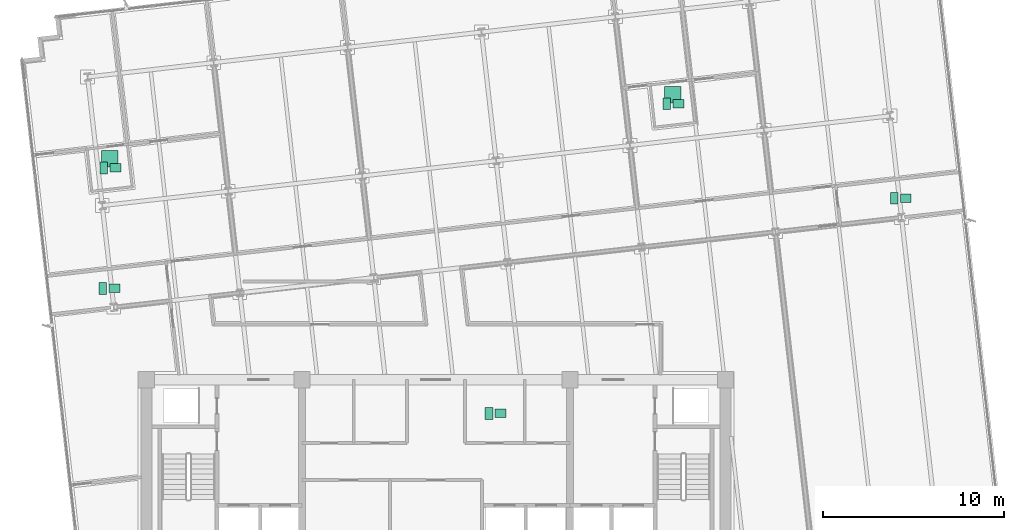
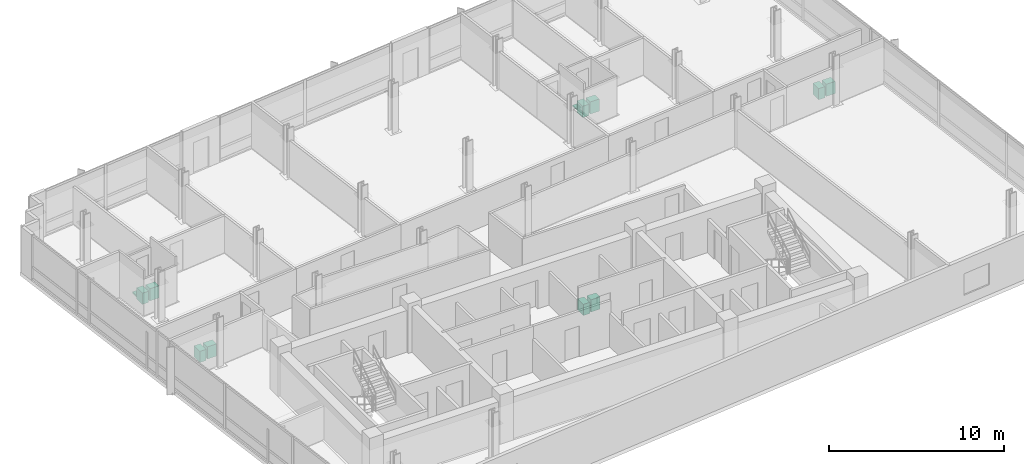
# One storey, part 15 of 15: 12 sanitary terminals.
"""IFC4 building model written with IfcOpenShell, lengths in metres."""

from ifc_helpers import new_model, si_unit, direction, frame, origin, origin_2d, place, context, subcontext, project, spatial, rectangle, extrude, material, type_object, element, save


model = new_model("IFC4")

# Units and contexts
model_context = context("Model", 3, precision=1e-05, world=origin(), true_north=direction((0.0, 1.0)))
body_context = subcontext(model_context, "Body", "Model", "MODEL_VIEW")
ifc_project = project(units=[si_unit("LENGTHUNIT", "METRE"), si_unit("AREAUNIT", "SQUARE_METRE"), si_unit("VOLUMEUNIT", "CUBIC_METRE"), si_unit("PLANEANGLEUNIT", "RADIAN"), si_unit("MASSUNIT", "GRAM", prefix="KILO")], contexts=[model_context])

# Site, building, storey
site_placement = place(None, origin())
site = spatial("IfcSite", under=ifc_project, at=site_placement, CompositionType="ELEMENT")
building_placement = place(site_placement, origin())
building = spatial("IfcBuilding", under=site, at=building_placement, Name="Solmavex Isthmus Hotel", CompositionType="ELEMENT")
storey_placement = place(building_placement, frame((0.0, 0.0, 229.64990234375)))
storey = spatial("IfcBuildingStorey", under=building, at=storey_placement, Name="L62", CompositionType="ELEMENT", Elevation=229.64990234375)

# Sanitary terminals
ifc_material = material(Name="Vitreous china ceramic", Category="ceramic")
sanitary_terminal_type_1 = type_object("IfcSanitaryTerminalType", Name="SAN-BASIN", PredefinedType="WASHHANDBASIN", material=ifc_material)
for number, where, z_axis, x_axis, name in (
    (1, (3.570068359375, -4.360107421875, 0.0), (0.0, 0.0, 1.0), (1.0, 0.0, 0.0), "Vanity Washbasin L62-311"),
    (2, (-17.710693359375, 9.203369140625, 0.0), (0.0, 0.0, 1.0), (1.0, 0.0, 0.0), "Vanity Washbasin L62-312"),
    (3, (13.39306640625, 12.747314453125, 0.0), (0.0, 0.0, 1.0), (1.0, 0.0, 0.0), "Vanity Washbasin L62-313"),
    (4, (-17.761474609375, 2.546875, 0.0), (0.0, 0.0, 1.0), (1.0, 0.0, 0.0), "Vanity Washbasin L62-314"),
    (5, (25.956787109375, 7.52783203125, 0.0), (0.0, 0.0, 1.0), (1.0, 0.0, 0.0), "Vanity Washbasin L62-315"),
):
    element("IfcSanitaryTerminal", number, at=place(storey_placement, frame(where, z_axis=z_axis, x_axis=x_axis)), inside=storey, type_object=sanitary_terminal_type_1, Name=name, PredefinedType="WASHHANDBASIN", context=body_context, shape_type="SweptSolid", body=[
        extrude(rectangle(XDim=0.60009765625, YDim=0.47998046875, at=origin_2d()), origin(), (0.0, 0.0, 1.0), 0.85009765625),
    ])
sanitary_terminal_type_2 = type_object("IfcSanitaryTerminalType", Name="SAN-SHOWER", PredefinedType="SHOWER", material=ifc_material)
for number, where, z_axis, x_axis, name in (
    (6, (-18.03076171875, 9.703369140625, 0.0), (0.0, 0.0, 1.0), (1.0, 0.0, 0.0), "Walk-In Shower L62-312"),
    (7, (13.072998046875, 13.247314453125, 0.0), (0.0, 0.0, 1.0), (1.0, 0.0, 0.0), "Walk-In Shower L62-313"),
):
    element("IfcSanitaryTerminal", number, at=place(storey_placement, frame(where, z_axis=z_axis, x_axis=x_axis)), inside=storey, type_object=sanitary_terminal_type_2, Name=name, PredefinedType="SHOWER", context=body_context, shape_type="SweptSolid", body=[
        extrude(rectangle(XDim=0.89990234375, YDim=0.89990234375, at=origin_2d()), origin(), (0.0, 0.0, 1.0), 0.080078125),
    ])
sanitary_terminal_type_3 = type_object("IfcSanitaryTerminalType", Name="SAN-WC-SUITE", PredefinedType="TOILETPAN", material=ifc_material)
for number, where, z_axis, x_axis, name in (
    (8, (2.929931640625, -4.360107421875, 0.0), (0.0, 0.0, 1.0), (1.0, 0.0, 0.0), "Water Closet L62-311"),
    (9, (-18.3505859375, 9.203369140625, 0.0), (0.0, 0.0, 1.0), (1.0, 0.0, 0.0), "Water Closet L62-312"),
    (10, (12.753173828125, 12.747314453125, 0.0), (0.0, 0.0, 1.0), (1.0, 0.0, 0.0), "Water Closet L62-313"),
    (11, (-18.401611328125, 2.546875, 0.0), (0.0, 0.0, 1.0), (1.0, 0.0, 0.0), "Water Closet L62-314"),
    (12, (25.316650390625, 7.52783203125, 0.0), (0.0, 0.0, 1.0), (1.0, 0.0, 0.0), "Water Closet L62-315"),
):
    element("IfcSanitaryTerminal", number, at=place(storey_placement, frame(where, z_axis=z_axis, x_axis=x_axis)), inside=storey, type_object=sanitary_terminal_type_3, Name=name, PredefinedType="TOILETPAN", context=body_context, shape_type="SweptSolid", body=[
        extrude(rectangle(XDim=0.419921875, YDim=0.64990234375, at=origin_2d()), origin(), (0.0, 0.0, 1.0), 0.780029296875),
    ])

save(model, "model.ifc")
